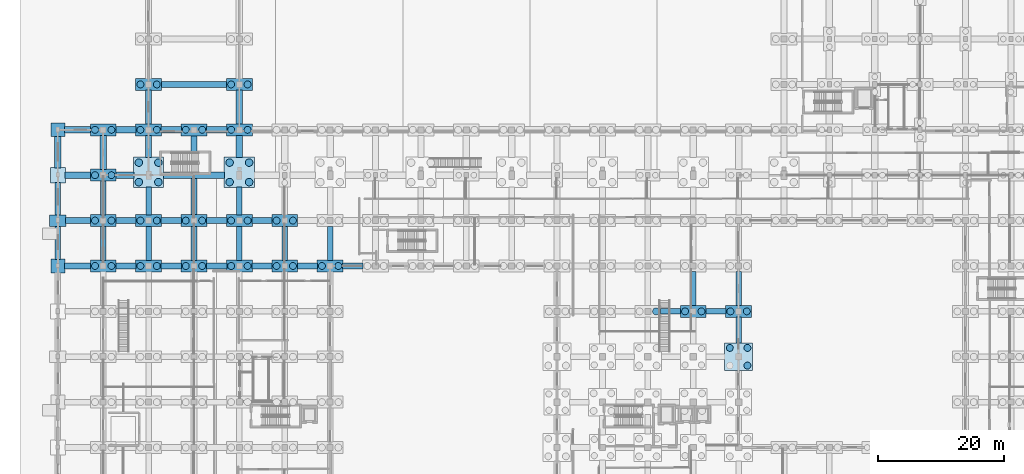
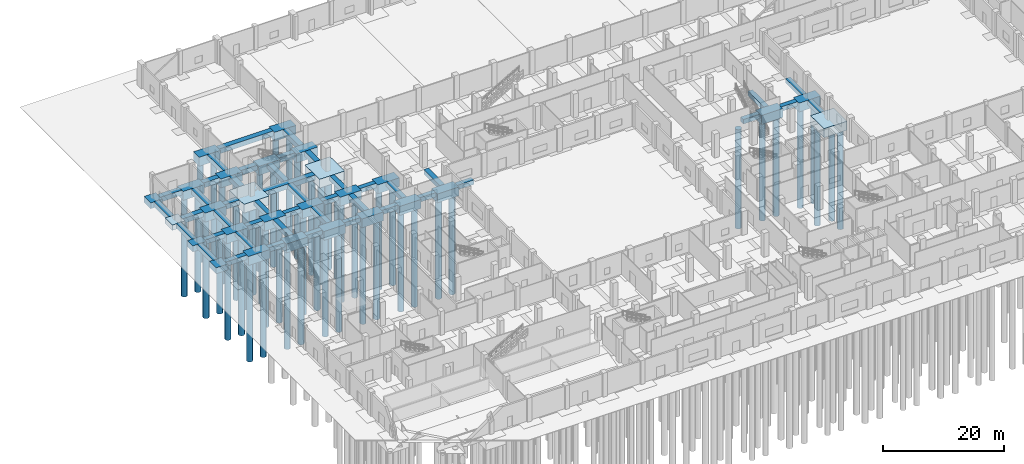
# One storey, part 6 of 48: 70 footings, 52 piles.
"""IFC4 building model written with IfcOpenShell, lengths in metres."""

from ifc_helpers import new_model, si_unit, direction, frame, origin, origin_2d, place, context, subcontext, project, spatial, rectangle, circle, extrude, material, material_profile, profile_set, type_object, element, save


model = new_model("IFC4")

# Units and contexts
model_context = context("Model", 3, precision=1e-05, world=origin(), true_north=direction((0.0, 1.0)))
body_context = subcontext(model_context, "Body", "Model", "MODEL_VIEW")
ifc_project = project(units=[si_unit("LENGTHUNIT", "METRE"), si_unit("AREAUNIT", "SQUARE_METRE"), si_unit("VOLUMEUNIT", "CUBIC_METRE"), si_unit("PLANEANGLEUNIT", "RADIAN"), si_unit("MASSUNIT", "GRAM", prefix="KILO")], contexts=[model_context])

# Site, building, storey
site_placement = place(None, origin())
site = spatial("IfcSite", under=ifc_project, at=site_placement, CompositionType="ELEMENT")
building_placement = place(site_placement, origin())
building = spatial("IfcBuilding", under=site, at=building_placement, Name="Seraya Terrace Polytechnic", CompositionType="ELEMENT")
storey_placement = place(building_placement, origin())
storey = spatial("IfcBuildingStorey", under=building, at=storey_placement, Name="L00", CompositionType="ELEMENT", Elevation=0.0)

# Piles
ifc_material = material(Name="Concrete C40/50", Category="concrete")
ifc_material_profile_1 = material_profile(ifc_material, circle(Radius=0.550048828125, at=origin_2d()), Name="DIA 1100")
ifc_profile_set_1 = profile_set([ifc_material_profile_1], Name="Concrete C40/50")
pile_type_1 = type_object("IfcPileType", Name="BP-04", PredefinedType="BORED", material=ifc_profile_set_1)
for number, where, z_axis, x_axis, name in (
    (1, (5.89990234375, 64.800048828125, -1.699951171875), (0.0, 0.0, -1.0), (1.0, 0.0, 0.0), "Bored pile BP-04 0072_0648-1"),
    (2, (8.5, 64.800048828125, -1.699951171875), (0.0, 0.0, -1.0), (1.0, 0.0, 0.0), "Bored pile BP-04 0072_0648-2"),
    (3, (5.89990234375, 72.0, -1.699951171875), (0.0, 0.0, -1.0), (1.0, 0.0, 0.0), "Bored pile BP-04 0072_0720-1"),
    (4, (8.5, 72.0, -1.699951171875), (0.0, 0.0, -1.0), (1.0, 0.0, 0.0), "Bored pile BP-04 0072_0720-2"),
    (5, (5.89990234375, 79.199951171875, -1.699951171875), (0.0, 0.0, -1.0), (1.0, 0.0, 0.0), "Bored pile BP-04 0072_0792-1"),
    (6, (8.5, 79.199951171875, -1.699951171875), (0.0, 0.0, -1.0), (1.0, 0.0, 0.0), "Bored pile BP-04 0072_0792-2"),
    (7, (5.89990234375, 86.39990234375, -1.699951171875), (0.0, 0.0, -1.0), (1.0, 0.0, 0.0), "Bored pile BP-04 0072_0864-1"),
    (8, (8.5, 86.39990234375, -1.699951171875), (0.0, 0.0, -1.0), (1.0, 0.0, 0.0), "Bored pile BP-04 0072_0864-2"),
    (9, (13.10009765625, 64.800048828125, -1.699951171875), (0.0, 0.0, -1.0), (1.0, 0.0, 0.0), "Bored pile BP-04 0144_0648-1"),
    (10, (15.699951171875, 64.800048828125, -1.699951171875), (0.0, 0.0, -1.0), (1.0, 0.0, 0.0), "Bored pile BP-04 0144_0648-2"),
    (11, (13.10009765625, 72.0, -1.699951171875), (0.0, 0.0, -1.0), (1.0, 0.0, 0.0), "Bored pile BP-04 0144_0720-1"),
    (12, (15.699951171875, 72.0, -1.699951171875), (0.0, 0.0, -1.0), (1.0, 0.0, 0.0), "Bored pile BP-04 0144_0720-2"),
    (13, (13.10009765625, 86.39990234375, -1.699951171875), (0.0, 0.0, -1.0), (1.0, 0.0, 0.0), "Bored pile BP-04 0144_0864-1"),
    (14, (15.699951171875, 86.39990234375, -1.699951171875), (0.0, 0.0, -1.0), (1.0, 0.0, 0.0), "Bored pile BP-04 0144_0864-2"),
    (15, (13.10009765625, 93.60009765625, -1.699951171875), (0.0, 0.0, -1.0), (1.0, 0.0, 0.0), "Bored pile BP-04 0144_0936-1"),
    (16, (15.699951171875, 93.60009765625, -1.699951171875), (0.0, 0.0, -1.0), (1.0, 0.0, 0.0), "Bored pile BP-04 0144_0936-2"),
    (17, (20.300048828125, 64.800048828125, -1.699951171875), (0.0, 0.0, -1.0), (1.0, 0.0, 0.0), "Bored pile BP-04 0216_0648-1"),
    (18, (22.89990234375, 64.800048828125, -1.699951171875), (0.0, 0.0, -1.0), (1.0, 0.0, 0.0), "Bored pile BP-04 0216_0648-2"),
    (19, (20.300048828125, 72.0, -1.699951171875), (0.0, 0.0, -1.0), (1.0, 0.0, 0.0), "Bored pile BP-04 0216_0720-1"),
    (20, (22.89990234375, 72.0, -1.699951171875), (0.0, 0.0, -1.0), (1.0, 0.0, 0.0), "Bored pile BP-04 0216_0720-2"),
    (21, (20.300048828125, 86.39990234375, -1.699951171875), (0.0, 0.0, -1.0), (1.0, 0.0, 0.0), "Bored pile BP-04 0216_0864-1"),
    (22, (22.89990234375, 86.39990234375, -1.699951171875), (0.0, 0.0, -1.0), (1.0, 0.0, 0.0), "Bored pile BP-04 0216_0864-2"),
    (23, (27.5, 64.800048828125, -1.699951171875), (0.0, 0.0, -1.0), (1.0, 0.0, 0.0), "Bored pile BP-04 0288_0648-1"),
    (24, (30.10009765625, 64.800048828125, -1.699951171875), (0.0, 0.0, -1.0), (1.0, 0.0, 0.0), "Bored pile BP-04 0288_0648-2"),
    (25, (27.5, 72.0, -1.699951171875), (0.0, 0.0, -1.0), (1.0, 0.0, 0.0), "Bored pile BP-04 0288_0720-1"),
    (26, (30.10009765625, 72.0, -1.699951171875), (0.0, 0.0, -1.0), (1.0, 0.0, 0.0), "Bored pile BP-04 0288_0720-2"),
    (27, (27.5, 86.39990234375, -1.699951171875), (0.0, 0.0, -1.0), (1.0, 0.0, 0.0), "Bored pile BP-04 0288_0864-1"),
    (28, (30.10009765625, 86.39990234375, -1.699951171875), (0.0, 0.0, -1.0), (1.0, 0.0, 0.0), "Bored pile BP-04 0288_0864-2"),
    (29, (27.5, 93.60009765625, -1.699951171875), (0.0, 0.0, -1.0), (1.0, 0.0, 0.0), "Bored pile BP-04 0288_0936-1"),
    (30, (30.10009765625, 93.60009765625, -1.699951171875), (0.0, 0.0, -1.0), (1.0, 0.0, 0.0), "Bored pile BP-04 0288_0936-2"),
    (31, (34.699951171875, 64.800048828125, -1.699951171875), (0.0, 0.0, -1.0), (1.0, 0.0, 0.0), "Bored pile BP-04 0360_0648-1"),
    (32, (37.300048828125, 64.800048828125, -1.699951171875), (0.0, 0.0, -1.0), (1.0, 0.0, 0.0), "Bored pile BP-04 0360_0648-2"),
    (33, (34.699951171875, 72.0, -1.699951171875), (0.0, 0.0, -1.0), (1.0, 0.0, 0.0), "Bored pile BP-04 0360_0720-1"),
    (34, (37.300048828125, 72.0, -1.699951171875), (0.0, 0.0, -1.0), (1.0, 0.0, 0.0), "Bored pile BP-04 0360_0720-2"),
    (35, (41.89990234375, 64.800048828125, -1.699951171875), (0.0, 0.0, -1.0), (1.0, 0.0, 0.0), "Bored pile BP-04 0432_0648-1"),
    (36, (44.5, 64.800048828125, -1.699951171875), (0.0, 0.0, -1.0), (1.0, 0.0, 0.0), "Bored pile BP-04 0432_0648-2"),
    (37, (94.89990234375, 57.60009765625, -1.699951171875), (0.0, 0.0, -1.0), (1.0, 0.0, 0.0), "Bored pile BP-04 0936_0576-2"),
    (38, (99.5, 57.60009765625, -1.699951171875), (0.0, 0.0, -1.0), (1.0, 0.0, 0.0), "Bored pile BP-04 1008_0576-1"),
    (39, (102.10009765625, 57.60009765625, -1.699951171875), (0.0, 0.0, -1.0), (1.0, 0.0, 0.0), "Bored pile BP-04 1008_0576-2"),
    (40, (109.39990234375, 49.0, -1.699951171875), (0.0, 0.0, -1.0), (1.0, 0.0, 0.0), "Bored pile BP-04 1080_0504-2"),
    (41, (106.60009765625, 51.800048828125, -1.699951171875), (0.0, 0.0, -1.0), (1.0, 0.0, 0.0), "Bored pile BP-04 1080_0504-3"),
    (42, (109.39990234375, 51.800048828125, -1.699951171875), (0.0, 0.0, -1.0), (1.0, 0.0, 0.0), "Bored pile BP-04 1080_0504-4"),
    (43, (106.699951171875, 57.60009765625, -1.699951171875), (0.0, 0.0, -1.0), (1.0, 0.0, 0.0), "Bored pile BP-04 1080_0576-1"),
    (44, (109.300048828125, 57.60009765625, -1.699951171875), (0.0, 0.0, -1.0), (1.0, 0.0, 0.0), "Bored pile BP-04 1080_0576-2"),
):
    element("IfcPile", number, at=place(storey_placement, frame(where, z_axis=z_axis, x_axis=x_axis)), inside=storey, type_object=pile_type_1, Name=name, PredefinedType="BORED", context=body_context, shape_type="SweptSolid", body=[
        extrude(circle(Radius=0.550048828125, at=origin_2d()), origin(), (0.0, 0.0, 1.0), 20.0),
    ])
ifc_material_profile_2 = material_profile(ifc_material, circle(Radius=0.60009765625, at=origin_2d()), Name="DIA 1200")
ifc_profile_set_2 = profile_set([ifc_material_profile_2], Name="Concrete C40/50")
pile_type_2 = type_object("IfcPileType", Name="BP-05", PredefinedType="BORED", material=ifc_profile_set_2)
for number, where, z_axis, x_axis, name in (
    (45, (12.85009765625, 78.10009765625, -1.699951171875), (0.0, 0.0, -1.0), (1.0, 0.0, 0.0), "Bored pile BP-05 0144_0792-1"),
    (46, (15.949951171875, 78.10009765625, -1.699951171875), (0.0, 0.0, -1.0), (1.0, 0.0, 0.0), "Bored pile BP-05 0144_0792-2"),
    (47, (12.85009765625, 81.199951171875, -1.699951171875), (0.0, 0.0, -1.0), (1.0, 0.0, 0.0), "Bored pile BP-05 0144_0792-3"),
    (48, (15.949951171875, 81.199951171875, -1.699951171875), (0.0, 0.0, -1.0), (1.0, 0.0, 0.0), "Bored pile BP-05 0144_0792-4"),
    (49, (27.25, 78.10009765625, -1.699951171875), (0.0, 0.0, -1.0), (1.0, 0.0, 0.0), "Bored pile BP-05 0288_0792-1"),
    (50, (30.35009765625, 78.10009765625, -1.699951171875), (0.0, 0.0, -1.0), (1.0, 0.0, 0.0), "Bored pile BP-05 0288_0792-2"),
    (51, (27.25, 81.199951171875, -1.699951171875), (0.0, 0.0, -1.0), (1.0, 0.0, 0.0), "Bored pile BP-05 0288_0792-3"),
    (52, (30.35009765625, 81.199951171875, -1.699951171875), (0.0, 0.0, -1.0), (1.0, 0.0, 0.0), "Bored pile BP-05 0288_0792-4"),
):
    element("IfcPile", number, at=place(storey_placement, frame(where, z_axis=z_axis, x_axis=x_axis)), inside=storey, type_object=pile_type_2, Name=name, PredefinedType="BORED", context=body_context, shape_type="SweptSolid", body=[
        extrude(circle(Radius=0.60009765625, at=origin_2d()), origin(), (0.0, 0.0, 1.0), 20.0),
    ])

# Footings
footing_type_1 = type_object("IfcFootingType", Name="FB-01", PredefinedType="FOOTING_BEAM", material=ifc_material)
footing_1_placement = place(storey_placement, frame((3.125, 64.800048828125, -0.89990234375), z_axis=(0.0, 0.0, 1.0), x_axis=(1.0, 0.0, 0.0)))
element("IfcFooting", 53, at=footing_1_placement, inside=storey, type_object=footing_type_1, Name="Foundation tie beam FB-01 X", PredefinedType="FOOTING_BEAM", context=body_context, shape_type="SweptSolid", body=[
    extrude(rectangle(XDim=4.14990234375, YDim=0.89990234375, at=origin_2d()), origin(), (0.0, 0.0, 1.0), 0.89990234375),
])
footing_2_placement = place(storey_placement, frame((0.0, 68.5, -0.89990234375), z_axis=(0.0, 0.0, 1.0), x_axis=(0.0, 1.0, 0.0)))
element("IfcFooting", 54, at=footing_2_placement, inside=storey, type_object=footing_type_1, Name="Foundation tie beam FB-01 Y", PredefinedType="FOOTING_BEAM", context=body_context, shape_type="SweptSolid", body=[
    extrude(rectangle(XDim=5.300048828125, YDim=0.89990234375, at=origin_2d()), origin(), (0.0, 0.0, 1.0), 0.89990234375),
])
footing_3_placement = place(storey_placement, frame((3.22509765625, 72.0, -0.89990234375), z_axis=(0.0, 0.0, 1.0), x_axis=(1.0, 0.0, 0.0)))
element("IfcFooting", 55, at=footing_3_placement, inside=storey, type_object=footing_type_1, Name="Foundation tie beam FB-01 X", PredefinedType="FOOTING_BEAM", context=body_context, shape_type="SweptSolid", body=[
    extrude(rectangle(XDim=3.949951171875, YDim=0.89990234375, at=origin_2d()), origin(), (0.0, 0.0, 1.0), 0.89990234375),
])
footing_4_placement = place(storey_placement, frame((0.0, 75.449951171875, -0.89990234375), z_axis=(0.0, 0.0, 1.0), x_axis=(0.0, 1.0, 0.0)))
element("IfcFooting", 56, at=footing_4_placement, inside=storey, type_object=footing_type_1, Name="Foundation tie beam FB-01 Y", PredefinedType="FOOTING_BEAM", context=body_context, shape_type="SweptSolid", body=[
    extrude(rectangle(XDim=5.199951171875, YDim=0.89990234375, at=origin_2d()), origin(), (0.0, 0.0, 1.0), 0.89990234375),
])
footing_5_placement = place(storey_placement, frame((10.800048828125, 64.800048828125, -0.89990234375), z_axis=(0.0, 0.0, 1.0), x_axis=(1.0, 0.0, 0.0)))
element("IfcFooting", 57, at=footing_5_placement, inside=storey, type_object=footing_type_1, Name="Foundation tie beam FB-01 X", PredefinedType="FOOTING_BEAM", context=body_context, shape_type="SweptSolid", body=[
    extrude(rectangle(XDim=3.199951171875, YDim=0.89990234375, at=origin_2d()), origin(), (0.0, 0.0, 1.0), 0.89990234375),
])
footing_6_placement = place(storey_placement, frame((7.199951171875, 68.39990234375, -0.89990234375), z_axis=(0.0, 0.0, 1.0), x_axis=(0.0, 1.0, 0.0)))
element("IfcFooting", 58, at=footing_6_placement, inside=storey, type_object=footing_type_1, Name="Foundation tie beam FB-01 Y", PredefinedType="FOOTING_BEAM", context=body_context, shape_type="SweptSolid", body=[
    extrude(rectangle(XDim=5.39990234375, YDim=0.89990234375, at=origin_2d()), origin(), (0.0, 0.0, 1.0), 0.89990234375),
])
footing_7_placement = place(storey_placement, frame((10.800048828125, 72.0, -0.89990234375), z_axis=(0.0, 0.0, 1.0), x_axis=(1.0, 0.0, 0.0)))
element("IfcFooting", 59, at=footing_7_placement, inside=storey, type_object=footing_type_1, Name="Foundation tie beam FB-01 X", PredefinedType="FOOTING_BEAM", context=body_context, shape_type="SweptSolid", body=[
    extrude(rectangle(XDim=3.199951171875, YDim=0.89990234375, at=origin_2d()), origin(), (0.0, 0.0, 1.0), 0.89990234375),
])
footing_8_placement = place(storey_placement, frame((7.199951171875, 75.60009765625, -0.89990234375), z_axis=(0.0, 0.0, 1.0), x_axis=(0.0, 1.0, 0.0)))
element("IfcFooting", 60, at=footing_8_placement, inside=storey, type_object=footing_type_1, Name="Foundation tie beam FB-01 Y", PredefinedType="FOOTING_BEAM", context=body_context, shape_type="SweptSolid", body=[
    extrude(rectangle(XDim=5.39990234375, YDim=0.89990234375, at=origin_2d()), origin(), (0.0, 0.0, 1.0), 0.89990234375),
])
footing_9_placement = place(storey_placement, frame((18.0, 64.800048828125, -0.89990234375), z_axis=(0.0, 0.0, 1.0), x_axis=(1.0, 0.0, 0.0)))
element("IfcFooting", 61, at=footing_9_placement, inside=storey, type_object=footing_type_1, Name="Foundation tie beam FB-01 X", PredefinedType="FOOTING_BEAM", context=body_context, shape_type="SweptSolid", body=[
    extrude(rectangle(XDim=3.199951171875, YDim=0.89990234375, at=origin_2d()), origin(), (0.0, 0.0, 1.0), 0.89990234375),
])
footing_10_placement = place(storey_placement, frame((14.39990234375, 68.39990234375, -0.89990234375), z_axis=(0.0, 0.0, 1.0), x_axis=(0.0, 1.0, 0.0)))
element("IfcFooting", 62, at=footing_10_placement, inside=storey, type_object=footing_type_1, Name="Foundation tie beam FB-01 Y", PredefinedType="FOOTING_BEAM", context=body_context, shape_type="SweptSolid", body=[
    extrude(rectangle(XDim=5.39990234375, YDim=0.89990234375, at=origin_2d()), origin(), (0.0, 0.0, 1.0), 0.89990234375),
])
footing_11_placement = place(storey_placement, frame((18.0, 72.0, -0.89990234375), z_axis=(0.0, 0.0, 1.0), x_axis=(1.0, 0.0, 0.0)))
element("IfcFooting", 63, at=footing_11_placement, inside=storey, type_object=footing_type_1, Name="Foundation tie beam FB-01 X", PredefinedType="FOOTING_BEAM", context=body_context, shape_type="SweptSolid", body=[
    extrude(rectangle(XDim=3.199951171875, YDim=0.89990234375, at=origin_2d()), origin(), (0.0, 0.0, 1.0), 0.89990234375),
])
footing_12_placement = place(storey_placement, frame((14.39990234375, 75.10009765625, -0.89990234375), z_axis=(0.0, 0.0, 1.0), x_axis=(0.0, 1.0, 0.0)))
element("IfcFooting", 64, at=footing_12_placement, inside=storey, type_object=footing_type_1, Name="Foundation tie beam FB-01 Y", PredefinedType="FOOTING_BEAM", context=body_context, shape_type="SweptSolid", body=[
    extrude(rectangle(XDim=4.39990234375, YDim=0.89990234375, at=origin_2d()), origin(), (0.0, 0.0, 1.0), 0.89990234375),
])
footing_13_placement = place(storey_placement, frame((25.199951171875, 64.800048828125, -0.89990234375), z_axis=(0.0, 0.0, 1.0), x_axis=(1.0, 0.0, 0.0)))
element("IfcFooting", 65, at=footing_13_placement, inside=storey, type_object=footing_type_1, Name="Foundation tie beam FB-01 X", PredefinedType="FOOTING_BEAM", context=body_context, shape_type="SweptSolid", body=[
    extrude(rectangle(XDim=3.199951171875, YDim=0.89990234375, at=origin_2d()), origin(), (0.0, 0.0, 1.0), 0.89990234375),
])
footing_14_placement = place(storey_placement, frame((21.60009765625, 68.39990234375, -0.89990234375), z_axis=(0.0, 0.0, 1.0), x_axis=(0.0, 1.0, 0.0)))
element("IfcFooting", 66, at=footing_14_placement, inside=storey, type_object=footing_type_1, Name="Foundation tie beam FB-01 Y", PredefinedType="FOOTING_BEAM", context=body_context, shape_type="SweptSolid", body=[
    extrude(rectangle(XDim=5.39990234375, YDim=0.89990234375, at=origin_2d()), origin(), (0.0, 0.0, 1.0), 0.89990234375),
])
footing_15_placement = place(storey_placement, frame((25.199951171875, 72.0, -0.89990234375), z_axis=(0.0, 0.0, 1.0), x_axis=(1.0, 0.0, 0.0)))
element("IfcFooting", 67, at=footing_15_placement, inside=storey, type_object=footing_type_1, Name="Foundation tie beam FB-01 X", PredefinedType="FOOTING_BEAM", context=body_context, shape_type="SweptSolid", body=[
    extrude(rectangle(XDim=3.199951171875, YDim=0.89990234375, at=origin_2d()), origin(), (0.0, 0.0, 1.0), 0.89990234375),
])
footing_16_placement = place(storey_placement, frame((21.60009765625, 79.199951171875, -0.89990234375), z_axis=(0.0, 0.0, 1.0), x_axis=(0.0, 1.0, 0.0)))
element("IfcFooting", 68, at=footing_16_placement, inside=storey, type_object=footing_type_1, Name="Foundation tie beam FB-01 Y", PredefinedType="FOOTING_BEAM", context=body_context, shape_type="SweptSolid", body=[
    extrude(rectangle(XDim=12.60009765625, YDim=0.89990234375, at=origin_2d()), origin(), (0.0, 0.0, 1.0), 0.89990234375),
])
footing_17_placement = place(storey_placement, frame((32.39990234375, 64.800048828125, -0.89990234375), z_axis=(0.0, 0.0, 1.0), x_axis=(1.0, 0.0, 0.0)))
element("IfcFooting", 69, at=footing_17_placement, inside=storey, type_object=footing_type_1, Name="Foundation tie beam FB-01 X", PredefinedType="FOOTING_BEAM", context=body_context, shape_type="SweptSolid", body=[
    extrude(rectangle(XDim=3.199951171875, YDim=0.89990234375, at=origin_2d()), origin(), (0.0, 0.0, 1.0), 0.89990234375),
])
footing_18_placement = place(storey_placement, frame((28.800048828125, 68.39990234375, -0.89990234375), z_axis=(0.0, 0.0, 1.0), x_axis=(0.0, 1.0, 0.0)))
element("IfcFooting", 70, at=footing_18_placement, inside=storey, type_object=footing_type_1, Name="Foundation tie beam FB-01 Y", PredefinedType="FOOTING_BEAM", context=body_context, shape_type="SweptSolid", body=[
    extrude(rectangle(XDim=5.39990234375, YDim=0.89990234375, at=origin_2d()), origin(), (0.0, 0.0, 1.0), 0.89990234375),
])
footing_19_placement = place(storey_placement, frame((32.39990234375, 72.0, -0.89990234375), z_axis=(0.0, 0.0, 1.0), x_axis=(1.0, 0.0, 0.0)))
element("IfcFooting", 71, at=footing_19_placement, inside=storey, type_object=footing_type_1, Name="Foundation tie beam FB-01 X", PredefinedType="FOOTING_BEAM", context=body_context, shape_type="SweptSolid", body=[
    extrude(rectangle(XDim=3.199951171875, YDim=0.89990234375, at=origin_2d()), origin(), (0.0, 0.0, 1.0), 0.89990234375),
])
footing_20_placement = place(storey_placement, frame((28.800048828125, 75.10009765625, -0.89990234375), z_axis=(0.0, 0.0, 1.0), x_axis=(0.0, 1.0, 0.0)))
element("IfcFooting", 72, at=footing_20_placement, inside=storey, type_object=footing_type_1, Name="Foundation tie beam FB-01 Y", PredefinedType="FOOTING_BEAM", context=body_context, shape_type="SweptSolid", body=[
    extrude(rectangle(XDim=4.39990234375, YDim=0.89990234375, at=origin_2d()), origin(), (0.0, 0.0, 1.0), 0.89990234375),
])
footing_21_placement = place(storey_placement, frame((39.60009765625, 64.800048828125, -0.89990234375), z_axis=(0.0, 0.0, 1.0), x_axis=(1.0, 0.0, 0.0)))
element("IfcFooting", 73, at=footing_21_placement, inside=storey, type_object=footing_type_1, Name="Foundation tie beam FB-01 X", PredefinedType="FOOTING_BEAM", context=body_context, shape_type="SweptSolid", body=[
    extrude(rectangle(XDim=3.199951171875, YDim=0.89990234375, at=origin_2d()), origin(), (0.0, 0.0, 1.0), 0.89990234375),
])
footing_22_placement = place(storey_placement, frame((36.0, 68.39990234375, -0.89990234375), z_axis=(0.0, 0.0, 1.0), x_axis=(0.0, 1.0, 0.0)))
element("IfcFooting", 74, at=footing_22_placement, inside=storey, type_object=footing_type_1, Name="Foundation tie beam FB-01 Y", PredefinedType="FOOTING_BEAM", context=body_context, shape_type="SweptSolid", body=[
    extrude(rectangle(XDim=5.39990234375, YDim=0.89990234375, at=origin_2d()), origin(), (0.0, 0.0, 1.0), 0.89990234375),
])
footing_23_placement = place(storey_placement, frame((46.800048828125, 64.800048828125, -0.89990234375), z_axis=(0.0, 0.0, 1.0), x_axis=(1.0, 0.0, 0.0)))
element("IfcFooting", 75, at=footing_23_placement, inside=storey, type_object=footing_type_1, Name="Foundation tie beam FB-01 X", PredefinedType="FOOTING_BEAM", context=body_context, shape_type="SweptSolid", body=[
    extrude(rectangle(XDim=3.199951171875, YDim=0.89990234375, at=origin_2d()), origin(), (0.0, 0.0, 1.0), 0.89990234375),
])
footing_24_placement = place(storey_placement, frame((43.199951171875, 68.39990234375, -0.89990234375), z_axis=(0.0, 0.0, 1.0), x_axis=(0.0, 1.0, 0.0)))
element("IfcFooting", 76, at=footing_24_placement, inside=storey, type_object=footing_type_1, Name="Foundation tie beam FB-01 Y", PredefinedType="FOOTING_BEAM", context=body_context, shape_type="SweptSolid", body=[
    extrude(rectangle(XDim=5.39990234375, YDim=0.89990234375, at=origin_2d()), origin(), (0.0, 0.0, 1.0), 0.89990234375),
])
for number, where, z_axis, x_axis, name in (
    (77, (97.199951171875, 57.60009765625, -0.89990234375), (0.0, 0.0, 1.0), (1.0, 0.0, 0.0), "Foundation tie beam FB-01 X"),
    (78, (104.39990234375, 57.60009765625, -0.89990234375), (0.0, 0.0, 1.0), (1.0, 0.0, 0.0), "Foundation tie beam FB-01 X"),
):
    element("IfcFooting", number, at=place(storey_placement, frame(where, z_axis=z_axis, x_axis=x_axis)), inside=storey, type_object=footing_type_1, Name=name, PredefinedType="FOOTING_BEAM", context=body_context, shape_type="SweptSolid", body=[
        extrude(rectangle(XDim=3.199951171875, YDim=0.89990234375, at=origin_2d()), origin(), (0.0, 0.0, 1.0), 0.89990234375),
    ])
footing_25_placement = place(storey_placement, frame((100.800048828125, 61.199951171875, -0.89990234375), z_axis=(0.0, 0.0, 1.0), x_axis=(0.0, 1.0, 0.0)))
element("IfcFooting", 79, at=footing_25_placement, inside=storey, type_object=footing_type_1, Name="Foundation tie beam FB-01 Y", PredefinedType="FOOTING_BEAM", context=body_context, shape_type="SweptSolid", body=[
    extrude(rectangle(XDim=5.39990234375, YDim=0.89990234375, at=origin_2d()), origin(), (0.0, 0.0, 1.0), 0.89990234375),
])
footing_26_placement = place(storey_placement, frame((108.0, 54.625, -0.89990234375), z_axis=(0.0, 0.0, 1.0), x_axis=(0.0, 1.0, 0.0)))
element("IfcFooting", 80, at=footing_26_placement, inside=storey, type_object=footing_type_1, Name="Foundation tie beam FB-01 Y", PredefinedType="FOOTING_BEAM", context=body_context, shape_type="SweptSolid", body=[
    extrude(rectangle(XDim=4.14990234375, YDim=0.89990234375, at=origin_2d()), origin(), (0.0, 0.0, 1.0), 0.89990234375),
])
footing_27_placement = place(storey_placement, frame((108.0, 61.199951171875, -0.89990234375), z_axis=(0.0, 0.0, 1.0), x_axis=(0.0, 1.0, 0.0)))
element("IfcFooting", 81, at=footing_27_placement, inside=storey, type_object=footing_type_1, Name="Foundation tie beam FB-01 Y", PredefinedType="FOOTING_BEAM", context=body_context, shape_type="SweptSolid", body=[
    extrude(rectangle(XDim=5.39990234375, YDim=0.89990234375, at=origin_2d()), origin(), (0.0, 0.0, 1.0), 0.89990234375),
])
footing_type_2 = type_object("IfcFootingType", Name="FB-03", PredefinedType="FOOTING_BEAM", material=ifc_material)
footing_28_placement = place(storey_placement, frame((3.175048828125, 79.199951171875, -1.0), z_axis=(0.0, 0.0, 1.0), x_axis=(1.0, 0.0, 0.0)))
element("IfcFooting", 82, at=footing_28_placement, inside=storey, type_object=footing_type_2, Name="Foundation tie beam FB-03 X", PredefinedType="FOOTING_BEAM", context=body_context, shape_type="SweptSolid", body=[
    extrude(rectangle(XDim=4.050048828125, YDim=1.0, at=origin_2d()), origin(), (0.0, 0.0, 1.0), 1.0),
])
footing_29_placement = place(storey_placement, frame((0.0, 82.85009765625, -1.0), z_axis=(0.0, 0.0, 1.0), x_axis=(0.0, 1.0, 0.0)))
element("IfcFooting", 83, at=footing_29_placement, inside=storey, type_object=footing_type_2, Name="Foundation tie beam FB-03 Y", PredefinedType="FOOTING_BEAM", context=body_context, shape_type="SweptSolid", body=[
    extrude(rectangle(XDim=5.0, YDim=1.0, at=origin_2d()), origin(), (0.0, 0.0, 1.0), 1.0),
])
footing_30_placement = place(storey_placement, frame((3.125, 86.39990234375, -1.0), z_axis=(0.0, 0.0, 1.0), x_axis=(1.0, 0.0, 0.0)))
element("IfcFooting", 84, at=footing_30_placement, inside=storey, type_object=footing_type_2, Name="Foundation tie beam FB-03 X", PredefinedType="FOOTING_BEAM", context=body_context, shape_type="SweptSolid", body=[
    extrude(rectangle(XDim=4.14990234375, YDim=1.0, at=origin_2d()), origin(), (0.0, 0.0, 1.0), 1.0),
])
footing_31_placement = place(storey_placement, frame((10.625, 79.199951171875, -1.0), z_axis=(0.0, 0.0, 1.0), x_axis=(1.0, 0.0, 0.0)))
element("IfcFooting", 85, at=footing_31_placement, inside=storey, type_object=footing_type_2, Name="Foundation tie beam FB-03 X", PredefinedType="FOOTING_BEAM", context=body_context, shape_type="SweptSolid", body=[
    extrude(rectangle(XDim=2.85009765625, YDim=1.0, at=origin_2d()), origin(), (0.0, 0.0, 1.0), 1.0),
])
footing_32_placement = place(storey_placement, frame((7.199951171875, 82.800048828125, -1.0), z_axis=(0.0, 0.0, 1.0), x_axis=(0.0, 1.0, 0.0)))
element("IfcFooting", 86, at=footing_32_placement, inside=storey, type_object=footing_type_2, Name="Foundation tie beam FB-03 Y", PredefinedType="FOOTING_BEAM", context=body_context, shape_type="SweptSolid", body=[
    extrude(rectangle(XDim=5.39990234375, YDim=1.0, at=origin_2d()), origin(), (0.0, 0.0, 1.0), 1.0),
])
footing_33_placement = place(storey_placement, frame((10.800048828125, 86.39990234375, -1.0), z_axis=(0.0, 0.0, 1.0), x_axis=(1.0, 0.0, 0.0)))
element("IfcFooting", 87, at=footing_33_placement, inside=storey, type_object=footing_type_2, Name="Foundation tie beam FB-03 X", PredefinedType="FOOTING_BEAM", context=body_context, shape_type="SweptSolid", body=[
    extrude(rectangle(XDim=3.199951171875, YDim=1.0, at=origin_2d()), origin(), (0.0, 0.0, 1.0), 1.0),
])
footing_34_placement = place(storey_placement, frame((21.60009765625, 79.199951171875, -1.0), z_axis=(0.0, 0.0, 1.0), x_axis=(1.0, 0.0, 0.0)))
element("IfcFooting", 88, at=footing_34_placement, inside=storey, type_object=footing_type_2, Name="Foundation tie beam FB-03 X", PredefinedType="FOOTING_BEAM", context=body_context, shape_type="SweptSolid", body=[
    extrude(rectangle(XDim=9.699951171875, YDim=1.0, at=origin_2d()), origin(), (0.0, 0.0, 1.0), 1.0),
])
footing_35_placement = place(storey_placement, frame((14.39990234375, 83.75, -1.0), z_axis=(0.0, 0.0, 1.0), x_axis=(0.0, 1.0, 0.0)))
element("IfcFooting", 89, at=footing_35_placement, inside=storey, type_object=footing_type_2, Name="Foundation tie beam FB-03 Y", PredefinedType="FOOTING_BEAM", context=body_context, shape_type="SweptSolid", body=[
    extrude(rectangle(XDim=3.5, YDim=1.0, at=origin_2d()), origin(), (0.0, 0.0, 1.0), 1.0),
])
footing_36_placement = place(storey_placement, frame((18.0, 86.39990234375, -1.0), z_axis=(0.0, 0.0, 1.0), x_axis=(1.0, 0.0, 0.0)))
element("IfcFooting", 90, at=footing_36_placement, inside=storey, type_object=footing_type_2, Name="Foundation tie beam FB-03 X", PredefinedType="FOOTING_BEAM", context=body_context, shape_type="SweptSolid", body=[
    extrude(rectangle(XDim=3.199951171875, YDim=1.0, at=origin_2d()), origin(), (0.0, 0.0, 1.0), 1.0),
])
footing_37_placement = place(storey_placement, frame((14.39990234375, 90.0, -1.0), z_axis=(0.0, 0.0, 1.0), x_axis=(0.0, 1.0, 0.0)))
element("IfcFooting", 91, at=footing_37_placement, inside=storey, type_object=footing_type_2, Name="Foundation tie beam FB-03 Y", PredefinedType="FOOTING_BEAM", context=body_context, shape_type="SweptSolid", body=[
    extrude(rectangle(XDim=5.39990234375, YDim=1.0, at=origin_2d()), origin(), (0.0, 0.0, 1.0), 1.0),
])
footing_38_placement = place(storey_placement, frame((21.60009765625, 93.60009765625, -1.0), z_axis=(0.0, 0.0, 1.0), x_axis=(1.0, 0.0, 0.0)))
element("IfcFooting", 92, at=footing_38_placement, inside=storey, type_object=footing_type_2, Name="Foundation tie beam FB-03 X", PredefinedType="FOOTING_BEAM", context=body_context, shape_type="SweptSolid", body=[
    extrude(rectangle(XDim=10.39990234375, YDim=1.0, at=origin_2d()), origin(), (0.0, 0.0, 1.0), 1.0),
])
footing_39_placement = place(storey_placement, frame((25.199951171875, 86.39990234375, -1.0), z_axis=(0.0, 0.0, 1.0), x_axis=(1.0, 0.0, 0.0)))
element("IfcFooting", 93, at=footing_39_placement, inside=storey, type_object=footing_type_2, Name="Foundation tie beam FB-03 X", PredefinedType="FOOTING_BEAM", context=body_context, shape_type="SweptSolid", body=[
    extrude(rectangle(XDim=3.199951171875, YDim=1.0, at=origin_2d()), origin(), (0.0, 0.0, 1.0), 1.0),
])
footing_40_placement = place(storey_placement, frame((28.800048828125, 83.75, -1.0), z_axis=(0.0, 0.0, 1.0), x_axis=(0.0, 1.0, 0.0)))
element("IfcFooting", 94, at=footing_40_placement, inside=storey, type_object=footing_type_2, Name="Foundation tie beam FB-03 Y", PredefinedType="FOOTING_BEAM", context=body_context, shape_type="SweptSolid", body=[
    extrude(rectangle(XDim=3.5, YDim=1.0, at=origin_2d()), origin(), (0.0, 0.0, 1.0), 1.0),
])
footing_41_placement = place(storey_placement, frame((28.800048828125, 90.0, -1.0), z_axis=(0.0, 0.0, 1.0), x_axis=(0.0, 1.0, 0.0)))
element("IfcFooting", 95, at=footing_41_placement, inside=storey, type_object=footing_type_2, Name="Foundation tie beam FB-03 Y", PredefinedType="FOOTING_BEAM", context=body_context, shape_type="SweptSolid", body=[
    extrude(rectangle(XDim=5.39990234375, YDim=1.0, at=origin_2d()), origin(), (0.0, 0.0, 1.0), 1.0),
])
footing_type_3 = type_object("IfcFootingType", Name="PC-05", PredefinedType="PILE_CAP", material=ifc_material)
for number, where, z_axis, x_axis, name in (
    (96, (7.199951171875, 64.800048828125, -1.7998046875), (0.0, 0.0, 1.0), (1.0, 0.0, 0.0), "Pile cap PC-05 at (7.2, 64.8)"),
    (97, (7.199951171875, 72.0, -1.7998046875), (0.0, 0.0, 1.0), (1.0, 0.0, 0.0), "Pile cap PC-05 at (7.2, 72.0)"),
    (98, (7.199951171875, 79.199951171875, -1.7998046875), (0.0, 0.0, 1.0), (1.0, 0.0, 0.0), "Pile cap PC-05 at (7.2, 79.2)"),
    (99, (7.199951171875, 86.39990234375, -1.7998046875), (0.0, 0.0, 1.0), (1.0, 0.0, 0.0), "Pile cap PC-05 at (7.2, 86.4)"),
    (100, (14.39990234375, 64.800048828125, -1.7998046875), (0.0, 0.0, 1.0), (1.0, 0.0, 0.0), "Pile cap PC-05 at (14.4, 64.8)"),
    (101, (14.39990234375, 72.0, -1.7998046875), (0.0, 0.0, 1.0), (1.0, 0.0, 0.0), "Pile cap PC-05 at (14.4, 72.0)"),
    (102, (14.39990234375, 86.39990234375, -1.7998046875), (0.0, 0.0, 1.0), (1.0, 0.0, 0.0), "Pile cap PC-05 at (14.4, 86.4)"),
    (103, (14.39990234375, 93.60009765625, -1.7998046875), (0.0, 0.0, 1.0), (1.0, 0.0, 0.0), "Pile cap PC-05 at (14.4, 93.6)"),
    (104, (21.60009765625, 64.800048828125, -1.7998046875), (0.0, 0.0, 1.0), (1.0, 0.0, 0.0), "Pile cap PC-05 at (21.6, 64.8)"),
    (105, (21.60009765625, 72.0, -1.7998046875), (0.0, 0.0, 1.0), (1.0, 0.0, 0.0), "Pile cap PC-05 at (21.6, 72.0)"),
    (106, (21.60009765625, 86.39990234375, -1.7998046875), (0.0, 0.0, 1.0), (1.0, 0.0, 0.0), "Pile cap PC-05 at (21.6, 86.4)"),
    (107, (28.800048828125, 64.800048828125, -1.7998046875), (0.0, 0.0, 1.0), (1.0, 0.0, 0.0), "Pile cap PC-05 at (28.8, 64.8)"),
    (108, (28.800048828125, 72.0, -1.7998046875), (0.0, 0.0, 1.0), (1.0, 0.0, 0.0), "Pile cap PC-05 at (28.8, 72.0)"),
    (109, (28.800048828125, 86.39990234375, -1.7998046875), (0.0, 0.0, 1.0), (1.0, 0.0, 0.0), "Pile cap PC-05 at (28.8, 86.4)"),
    (110, (28.800048828125, 93.60009765625, -1.7998046875), (0.0, 0.0, 1.0), (1.0, 0.0, 0.0), "Pile cap PC-05 at (28.8, 93.6)"),
    (111, (36.0, 64.800048828125, -1.7998046875), (0.0, 0.0, 1.0), (1.0, 0.0, 0.0), "Pile cap PC-05 at (36.0, 64.8)"),
    (112, (36.0, 72.0, -1.7998046875), (0.0, 0.0, 1.0), (1.0, 0.0, 0.0), "Pile cap PC-05 at (36.0, 72.0)"),
    (113, (43.199951171875, 64.800048828125, -1.7998046875), (0.0, 0.0, 1.0), (1.0, 0.0, 0.0), "Pile cap PC-05 at (43.2, 64.8)"),
    (114, (100.800048828125, 57.60009765625, -1.7998046875), (0.0, 0.0, 1.0), (1.0, 0.0, 0.0), "Pile cap PC-05 at (100.8, 57.6)"),
    (115, (108.0, 57.60009765625, -1.7998046875), (0.0, 0.0, 1.0), (1.0, 0.0, 0.0), "Pile cap PC-05 at (108.0, 57.6)"),
):
    element("IfcFooting", number, at=place(storey_placement, frame(where, z_axis=z_axis, x_axis=x_axis)), inside=storey, type_object=footing_type_3, Name=name, PredefinedType="PILE_CAP", context=body_context, shape_type="SweptSolid", body=[
        extrude(rectangle(XDim=4.10009765625, YDim=1.89990234375, at=origin_2d()), origin(), (0.0, 0.0, 1.0), 1.800048828125),
    ])
footing_type_4 = type_object("IfcFootingType", Name="PC-08", PredefinedType="PILE_CAP", material=ifc_material)
footing_42_placement = place(storey_placement, frame((108.0, 50.39990234375, -1.7998046875), z_axis=(0.0, 0.0, 1.0), x_axis=(1.0, 0.0, 0.0)))
element("IfcFooting", 116, at=footing_42_placement, inside=storey, type_object=footing_type_4, Name="Pile cap PC-08 at (108.0, 50.4)", PredefinedType="PILE_CAP", context=body_context, shape_type="SweptSolid", body=[
    extrude(rectangle(XDim=4.39990234375, YDim=4.39990234375, at=origin_2d()), origin(), (0.0, 0.0, 1.0), 1.800048828125),
])
footing_type_5 = type_object("IfcFootingType", Name="PC-09", PredefinedType="PILE_CAP", material=ifc_material)
for number, where, z_axis, x_axis, name in (
    (117, (14.39990234375, 79.64990234375, -1.7998046875), (0.0, 0.0, 1.0), (1.0, 0.0, 0.0), "Pile cap PC-09 at (14.4, 79.2)"),
    (118, (28.800048828125, 79.64990234375, -1.7998046875), (0.0, 0.0, 1.0), (1.0, 0.0, 0.0), "Pile cap PC-09 at (28.8, 79.2)"),
):
    element("IfcFooting", number, at=place(storey_placement, frame(where, z_axis=z_axis, x_axis=x_axis)), inside=storey, type_object=footing_type_5, Name=name, PredefinedType="PILE_CAP", context=body_context, shape_type="SweptSolid", body=[
        extrude(rectangle(XDim=4.800048828125, YDim=4.800048828125, at=origin_2d()), origin(), (0.0, 0.0, 1.0), 1.800048828125),
    ])
footing_type_6 = type_object("IfcFootingType", Name="PF-01", PredefinedType="PAD_FOOTING", material=ifc_material)
for number, where, z_axis, x_axis, name in (
    (119, (0.0, 64.800048828125, -1.2001953125), (0.0, 0.0, 1.0), (1.0, 0.0, 0.0), "Pad footing PF-01 at (0.0, 64.8)"),
    (120, (0.0, 86.39990234375, -1.2001953125), (0.0, 0.0, 1.0), (1.0, 0.0, 0.0), "Pad footing PF-01 at (0.0, 86.4)"),
):
    element("IfcFooting", number, at=place(storey_placement, frame(where, z_axis=z_axis, x_axis=x_axis)), inside=storey, type_object=footing_type_6, Name=name, PredefinedType="PAD_FOOTING", context=body_context, shape_type="SweptSolid", body=[
        extrude(rectangle(XDim=2.199951171875, YDim=2.199951171875, at=origin_2d()), origin(), (0.0, 0.0, 1.0), 1.199951171875),
    ])
footing_type_7 = type_object("IfcFootingType", Name="PF-02", PredefinedType="PAD_FOOTING", material=ifc_material)
footing_43_placement = place(storey_placement, frame((0.0, 72.0, -1.2001953125), z_axis=(0.0, 0.0, 1.0), x_axis=(1.0, 0.0, 0.0)))
element("IfcFooting", 121, at=footing_43_placement, inside=storey, type_object=footing_type_7, Name="Pad footing PF-02 at (0.0, 72.0)", PredefinedType="PAD_FOOTING", context=body_context, shape_type="SweptSolid", body=[
    extrude(rectangle(XDim=2.60009765625, YDim=1.800048828125, at=origin_2d()), origin(), (0.0, 0.0, 1.0), 1.199951171875),
])
footing_type_8 = type_object("IfcFootingType", Name="PF-03", PredefinedType="PAD_FOOTING", material=ifc_material)
footing_44_placement = place(storey_placement, frame((0.0, 79.199951171875, -1.10009765625), z_axis=(0.0, 0.0, 1.0), x_axis=(1.0, 0.0, 0.0)))
element("IfcFooting", 122, at=footing_44_placement, inside=storey, type_object=footing_type_8, Name="Pad footing PF-03 at (0.0, 79.2)", PredefinedType="PAD_FOOTING", context=body_context, shape_type="SweptSolid", body=[
    extrude(rectangle(XDim=2.39990234375, YDim=2.39990234375, at=origin_2d()), origin(), (0.0, 0.0, 1.0), 1.10009765625),
])

save(model, "model.ifc")
